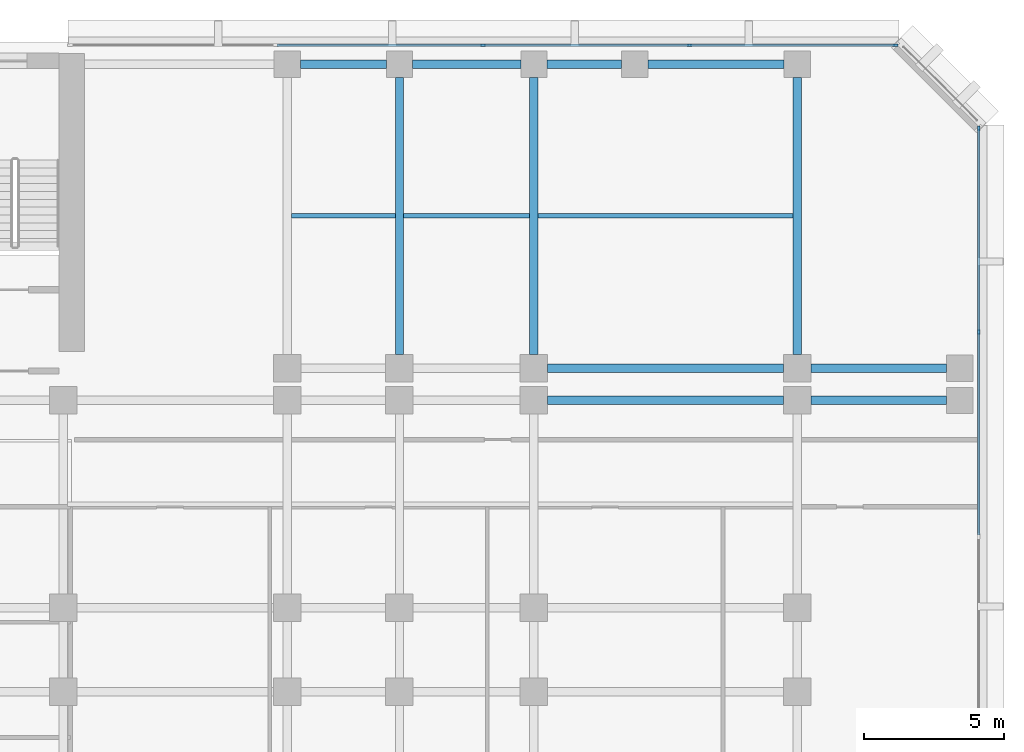
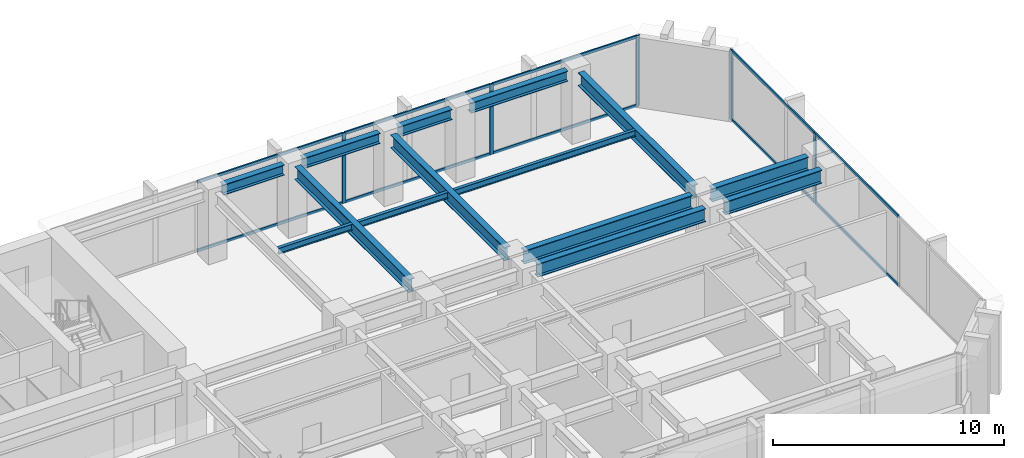
# One storey, part 5 of 13: 15 members, 14 beams, 2 elements without a shape of their own.
"""IFC4 building model written with IfcOpenShell, lengths in metres."""

from ifc_helpers import new_model, si_unit, direction, frame, origin, origin_2d, place, context, subcontext, project, spatial, rectangle, i_section, extrude, material, layer, layer_set, material_profile, profile_set, type_object, element, aggregate, save


model = new_model("IFC4")

# Units and contexts
model_context = context("Model", 3, precision=1e-05, world=origin(), true_north=direction((0.0, 1.0)))
body_context = subcontext(model_context, "Body", "Model", "MODEL_VIEW")
ifc_project = project(units=[si_unit("LENGTHUNIT", "METRE"), si_unit("AREAUNIT", "SQUARE_METRE"), si_unit("VOLUMEUNIT", "CUBIC_METRE"), si_unit("PLANEANGLEUNIT", "RADIAN"), si_unit("MASSUNIT", "GRAM", prefix="KILO")], contexts=[model_context])

# Site, building, storey
site_placement = place(None, origin())
site = spatial("IfcSite", under=ifc_project, at=site_placement, CompositionType="ELEMENT")
building_placement = place(site_placement, origin())
building = spatial("IfcBuilding", under=site, at=building_placement, Name="Kefirva Bronze Tower", CompositionType="ELEMENT")
storey_placement = place(building_placement, frame((0.0, 0.0, 85.800048828125)))
storey = spatial("IfcBuildingStorey", under=building, at=storey_placement, Name="L20", CompositionType="ELEMENT", Elevation=85.800048828125)

# Curtain wall, members
ifc_material_1 = material(Name="Bronze anodised aluminium", Category="aluminium")
ifc_layer = layer(ifc_material_1, 0.199951171875, Name="Bronze anodised aluminium")
ifc_layer_set = layer_set([ifc_layer], Name="Bronze anodised aluminium")
curtain_wall_type = type_object("IfcCurtainWallType", Name="Unitised Bronze Ribbon Curtain Wall Zone 1", PredefinedType="USERDEFINED", material=ifc_layer_set)
curtain_wall_1_placement = place(storey_placement, origin())
curtain_wall_1 = element("IfcCurtainWall", 1, at=curtain_wall_1_placement, inside=storey, type_object=curtain_wall_type, Name="L20 Curtain Wall 3", ObjectType="UNITISED CURTAIN WALL", PredefinedType="USERDEFINED")
ifc_material_profile_1 = material_profile(ifc_material_1, rectangle(XDim=0.074951171875, YDim=0.179931640625, at=origin_2d()), Name="ALU 75x180")
ifc_profile_set_1 = profile_set([ifc_material_profile_1], Name="Bronze anodised aluminium")
member_type_1 = type_object("IfcMemberType", Name="Bronze Mullion 75x180", PredefinedType="MULLION", material=ifc_profile_set_1)
member_1_placement = place(storey_placement, frame((55.8798828125, 35.6484375, 0.0), z_axis=(0.0, 0.0, 1.0), x_axis=(-1.0, 0.0, 0.0)))
member_1 = element("IfcMember", 2, at=member_1_placement, type_object=member_type_1, Name="CW-01 mullion 3", PredefinedType="MULLION", context=body_context, shape_type="SweptSolid", body=[
    extrude(rectangle(XDim=0.074951171875, YDim=0.179931640625, at=origin_2d()), origin(), (0.0, 0.0, 1.0), 3.7099609375),
])
member_2_placement = place(storey_placement, frame((55.8798828125, 42.907470703125, 0.0), z_axis=(0.0, 0.0, 1.0), x_axis=(-1.0, 0.0, 0.0)))
member_2 = element("IfcMember", 3, at=member_2_placement, type_object=member_type_1, Name="CW-01 mullion 4", PredefinedType="MULLION", context=body_context, shape_type="SweptSolid", body=[
    extrude(rectangle(XDim=0.074951171875, YDim=0.179931640625, at=origin_2d()), origin(), (0.0, 0.0, 1.0), 3.7099609375),
])

curtain_wall_2_placement = place(storey_placement, origin())
curtain_wall_2 = element("IfcCurtainWall", 4, at=curtain_wall_2_placement, inside=storey, type_object=curtain_wall_type, Name="L20 Curtain Wall 4", ObjectType="UNITISED CURTAIN WALL", PredefinedType="USERDEFINED")
member_3_placement = place(storey_placement, frame((52.907470703125, 45.8798828125, 0.0), z_axis=(0.0, 0.0, 1.0), x_axis=(0.0, -1.0, 0.0)))
member_3 = element("IfcMember", 5, at=member_3_placement, type_object=member_type_1, Name="CW-01 mullion 1", PredefinedType="MULLION", context=body_context, shape_type="SweptSolid", body=[
    extrude(rectangle(XDim=0.074951171875, YDim=0.179931640625, at=origin_2d()), origin(), (0.0, 0.0, 1.0), 3.7099609375),
])
member_4_placement = place(storey_placement, frame((45.56005859375, 45.8798828125, 0.0), z_axis=(0.0, 0.0, 1.0), x_axis=(0.0, -1.0, 0.0)))
member_4 = element("IfcMember", 6, at=member_4_placement, type_object=member_type_1, Name="CW-01 mullion 2", PredefinedType="MULLION", context=body_context, shape_type="SweptSolid", body=[
    extrude(rectangle(XDim=0.074951171875, YDim=0.179931640625, at=origin_2d()), origin(), (0.0, 0.0, 1.0), 3.7099609375),
])
member_5_placement = place(storey_placement, frame((38.175048828125, 45.8798828125, 0.0), z_axis=(0.0, 0.0, 1.0), x_axis=(0.0, -1.0, 0.0)))
member_5 = element("IfcMember", 7, at=member_5_placement, type_object=member_type_1, Name="CW-01 mullion 3", PredefinedType="MULLION", context=body_context, shape_type="SweptSolid", body=[
    extrude(rectangle(XDim=0.074951171875, YDim=0.179931640625, at=origin_2d()), origin(), (0.0, 0.0, 1.0), 3.7099609375),
])

# Member
ifc_material_profile_2 = material_profile(ifc_material_1, rectangle(XDim=0.074951171875, YDim=0.14990234375, at=origin_2d()), Name="ALU 75x150")
ifc_profile_set_2 = profile_set([ifc_material_profile_2], Name="Bronze anodised aluminium")
member_type_2 = type_object("IfcMemberType", Name="Bronze Transom 75x150", PredefinedType="USERDEFINED", material=ifc_profile_set_2)
member_6_placement = place(storey_placement, frame((55.8798828125, 28.38916015625, 0.037353515625), z_axis=(0.0, 1.0, 0.0), x_axis=(-1.0, 0.0, 0.0)))
member_6 = element("IfcMember", 8, at=member_6_placement, type_object=member_type_2, Name="CW-01 transom 2.1", ObjectType="TRANSOM", PredefinedType="USERDEFINED", context=body_context, shape_type="SweptSolid", body=[
    extrude(rectangle(XDim=0.074951171875, YDim=0.14990234375, at=origin_2d()), origin(), (0.0, 0.0, 1.0), 7.2216796875),
])

member_7_placement = place(storey_placement, frame((55.8798828125, 28.38916015625, 3.67236328125), z_axis=(0.0, 1.0, 0.0), x_axis=(-1.0, 0.0, 0.0)))
member_7 = element("IfcMember", 9, at=member_7_placement, type_object=member_type_2, Name="CW-01 transom 2.2", ObjectType="TRANSOM", PredefinedType="USERDEFINED", context=body_context, shape_type="SweptSolid", body=[
    extrude(rectangle(XDim=0.074951171875, YDim=0.14990234375, at=origin_2d()), origin(), (0.0, 0.0, 1.0), 7.2216796875),
])

member_8_placement = place(storey_placement, frame((55.8798828125, 35.685791015625, 0.037353515625), z_axis=(0.0, 1.0, 0.0), x_axis=(-1.0, 0.0, 0.0)))
member_8 = element("IfcMember", 10, at=member_8_placement, type_object=member_type_2, Name="CW-01 transom 3.1", ObjectType="TRANSOM", PredefinedType="USERDEFINED", context=body_context, shape_type="SweptSolid", body=[
    extrude(rectangle(XDim=0.074951171875, YDim=0.14990234375, at=origin_2d()), origin(), (0.0, 0.0, 1.0), 7.184326171875),
])

member_9_placement = place(storey_placement, frame((55.8798828125, 35.685791015625, 3.67236328125), z_axis=(0.0, 1.0, 0.0), x_axis=(-1.0, 0.0, 0.0)))
member_9 = element("IfcMember", 11, at=member_9_placement, type_object=member_type_2, Name="CW-01 transom 3.2", ObjectType="TRANSOM", PredefinedType="USERDEFINED", context=body_context, shape_type="SweptSolid", body=[
    extrude(rectangle(XDim=0.074951171875, YDim=0.14990234375, at=origin_2d()), origin(), (0.0, 0.0, 1.0), 7.184326171875),
])

aggregate(curtain_wall_1, [member_1, member_2, member_6, member_7, member_8, member_9])

member_10_placement = place(storey_placement, frame((52.8701171875, 45.8798828125, 0.037353515625), z_axis=(-1.0, 0.0, 0.0), x_axis=(0.0, -1.0, 0.0)))
member_10 = element("IfcMember", 12, at=member_10_placement, type_object=member_type_2, Name="CW-01 transom 1.1", ObjectType="TRANSOM", PredefinedType="USERDEFINED", context=body_context, shape_type="SweptSolid", body=[
    extrude(rectangle(XDim=0.074951171875, YDim=0.14990234375, at=origin_2d()), origin(), (0.0, 0.0, 1.0), 7.272705078125),
])

member_11_placement = place(storey_placement, frame((52.8701171875, 45.8798828125, 3.67236328125), z_axis=(-1.0, 0.0, 0.0), x_axis=(0.0, -1.0, 0.0)))
member_11 = element("IfcMember", 13, at=member_11_placement, type_object=member_type_2, Name="CW-01 transom 1.2", ObjectType="TRANSOM", PredefinedType="USERDEFINED", context=body_context, shape_type="SweptSolid", body=[
    extrude(rectangle(XDim=0.074951171875, YDim=0.14990234375, at=origin_2d()), origin(), (0.0, 0.0, 1.0), 7.272705078125),
])

member_12_placement = place(storey_placement, frame((45.5224609375, 45.8798828125, 0.037353515625), z_axis=(-1.0, 0.0, 0.0), x_axis=(0.0, -1.0, 0.0)))
member_12 = element("IfcMember", 14, at=member_12_placement, type_object=member_type_2, Name="CW-01 transom 2.1", ObjectType="TRANSOM", PredefinedType="USERDEFINED", context=body_context, shape_type="SweptSolid", body=[
    extrude(rectangle(XDim=0.074951171875, YDim=0.14990234375, at=origin_2d()), origin(), (0.0, 0.0, 1.0), 7.31005859375),
])

member_13_placement = place(storey_placement, frame((45.5224609375, 45.8798828125, 3.67236328125), z_axis=(-1.0, 0.0, 0.0), x_axis=(0.0, -1.0, 0.0)))
member_13 = element("IfcMember", 15, at=member_13_placement, type_object=member_type_2, Name="CW-01 transom 2.2", ObjectType="TRANSOM", PredefinedType="USERDEFINED", context=body_context, shape_type="SweptSolid", body=[
    extrude(rectangle(XDim=0.074951171875, YDim=0.14990234375, at=origin_2d()), origin(), (0.0, 0.0, 1.0), 7.31005859375),
])

member_14_placement = place(storey_placement, frame((38.137451171875, 45.8798828125, 0.037353515625), z_axis=(-1.0, 0.0, 0.0), x_axis=(0.0, -1.0, 0.0)))
member_14 = element("IfcMember", 16, at=member_14_placement, type_object=member_type_2, Name="CW-01 transom 3.1", ObjectType="TRANSOM", PredefinedType="USERDEFINED", context=body_context, shape_type="SweptSolid", body=[
    extrude(rectangle(XDim=0.074951171875, YDim=0.14990234375, at=origin_2d()), origin(), (0.0, 0.0, 1.0), 7.31005859375),
])

member_15_placement = place(storey_placement, frame((38.137451171875, 45.8798828125, 3.67236328125), z_axis=(-1.0, 0.0, 0.0), x_axis=(0.0, -1.0, 0.0)))
member_15 = element("IfcMember", 17, at=member_15_placement, type_object=member_type_2, Name="CW-01 transom 3.2", ObjectType="TRANSOM", PredefinedType="USERDEFINED", context=body_context, shape_type="SweptSolid", body=[
    extrude(rectangle(XDim=0.074951171875, YDim=0.14990234375, at=origin_2d()), origin(), (0.0, 0.0, 1.0), 7.31005859375),
])

aggregate(curtain_wall_2, [member_3, member_4, member_5, member_10, member_11, member_12, member_13, member_14, member_15])

# Beams
ifc_material_2 = material(Name="Steel S355", Category="steel")
ifc_material_profile_3 = material_profile(ifc_material_2, i_section(OverallWidth=0.159912109375, OverallDepth=0.330078125, WebThickness=0.007568359375, FlangeThickness=0.011474609375, at=origin_2d()), Name="IPE 330")
ifc_profile_set_3 = profile_set([ifc_material_profile_3], Name="Steel S355")
beam_type_1 = type_object("IfcBeamType", Name="Steel Floor Joist IPE 330", PredefinedType="JOIST", material=ifc_profile_set_3)
beam_1_placement = place(storey_placement, frame((31.35009765625, 39.784912109375, 3.544921875), z_axis=(1.0, 0.0, 0.0), x_axis=(0.0, 1.0, 0.0)))
element("IfcBeam", 18, at=beam_1_placement, inside=storey, type_object=beam_type_1, Name="L20 JST-L20-31-397", PredefinedType="JOIST", context=body_context, shape_type="SweptSolid", body=[
    extrude(i_section(OverallWidth=0.159912109375, OverallDepth=0.330078125, WebThickness=0.007568359375, FlangeThickness=0.011474609375, at=origin_2d()), origin(), (0.0, 0.0, 1.0), 3.699951171875),
])
beam_2_placement = place(storey_placement, frame((35.35009765625, 39.784912109375, 3.544921875), z_axis=(1.0, 0.0, 0.0), x_axis=(0.0, 1.0, 0.0)))
element("IfcBeam", 19, at=beam_2_placement, inside=storey, type_object=beam_type_1, Name="L20 JST-L20-35-397", PredefinedType="JOIST", context=body_context, shape_type="SweptSolid", body=[
    extrude(i_section(OverallWidth=0.159912109375, OverallDepth=0.330078125, WebThickness=0.007568359375, FlangeThickness=0.011474609375, at=origin_2d()), origin(), (0.0, 0.0, 1.0), 4.5),
])
beam_3_placement = place(storey_placement, frame((40.14990234375, 39.784912109375, 3.544921875), z_axis=(1.0, 0.0, 0.0), x_axis=(0.0, 1.0, 0.0)))
element("IfcBeam", 20, at=beam_3_placement, inside=storey, type_object=beam_type_1, Name="L20 JST-L20-40-397", PredefinedType="JOIST", context=body_context, shape_type="SweptSolid", body=[
    extrude(i_section(OverallWidth=0.159912109375, OverallDepth=0.330078125, WebThickness=0.007568359375, FlangeThickness=0.011474609375, at=origin_2d()), origin(), (0.0, 0.0, 1.0), 9.10009765625),
])
ifc_material_profile_4 = material_profile(ifc_material_2, i_section(OverallWidth=0.300048828125, OverallDepth=0.699951171875, WebThickness=0.01708984375, FlangeThickness=0.031982421875, at=origin_2d()), Name="HEB 700")
ifc_profile_set_4 = profile_set([ifc_material_profile_4], Name="Steel S355")
beam_type_2 = type_object("IfcBeamType", Name="Steel Girder HEB 700", PredefinedType="USERDEFINED", material=ifc_profile_set_4)
beam_4_placement = place(storey_placement, frame((40.489990234375, 33.199951171875, 3.35986328125), z_axis=(1.0, 0.0, 0.0), x_axis=(0.0, 1.0, 0.0)))
element("IfcBeam", 21, at=beam_4_placement, inside=storey, type_object=beam_type_2, Name="L20 BM-L20-EW-40-332", ObjectType="GIRDER", PredefinedType="USERDEFINED", context=body_context, shape_type="SweptSolid", body=[
    extrude(i_section(OverallWidth=0.300048828125, OverallDepth=0.699951171875, WebThickness=0.01708984375, FlangeThickness=0.031982421875, at=origin_2d()), origin(), (0.0, 0.0, 1.0), 8.419921875),
])
beam_5_placement = place(storey_placement, frame((49.889892578125, 33.199951171875, 3.35986328125), z_axis=(1.0, 0.0, 0.0), x_axis=(0.0, 1.0, 0.0)))
element("IfcBeam", 22, at=beam_5_placement, inside=storey, type_object=beam_type_2, Name="L20 BM-L20-EW-49-332", ObjectType="GIRDER", PredefinedType="USERDEFINED", context=body_context, shape_type="SweptSolid", body=[
    extrude(i_section(OverallWidth=0.300048828125, OverallDepth=0.699951171875, WebThickness=0.01708984375, FlangeThickness=0.031982421875, at=origin_2d()), origin(), (0.0, 0.0, 1.0), 4.840087890625),
])
beam_6_placement = place(storey_placement, frame((40.489990234375, 34.35009765625, 3.35986328125), z_axis=(1.0, 0.0, 0.0), x_axis=(0.0, 1.0, 0.0)))
element("IfcBeam", 23, at=beam_6_placement, inside=storey, type_object=beam_type_2, Name="L20 BM-L20-EW-40-344", ObjectType="GIRDER", PredefinedType="USERDEFINED", context=body_context, shape_type="SweptSolid", body=[
    extrude(i_section(OverallWidth=0.300048828125, OverallDepth=0.699951171875, WebThickness=0.01708984375, FlangeThickness=0.031982421875, at=origin_2d()), origin(), (0.0, 0.0, 1.0), 8.419921875),
])
beam_7_placement = place(storey_placement, frame((49.889892578125, 34.35009765625, 3.35986328125), z_axis=(1.0, 0.0, 0.0), x_axis=(0.0, 1.0, 0.0)))
element("IfcBeam", 24, at=beam_7_placement, inside=storey, type_object=beam_type_2, Name="L20 BM-L20-EW-49-344", ObjectType="GIRDER", PredefinedType="USERDEFINED", context=body_context, shape_type="SweptSolid", body=[
    extrude(i_section(OverallWidth=0.300048828125, OverallDepth=0.699951171875, WebThickness=0.01708984375, FlangeThickness=0.031982421875, at=origin_2d()), origin(), (0.0, 0.0, 1.0), 4.840087890625),
])
for number, where, z_axis, x_axis, name in (
    (25, (35.199951171875, 34.840087890625, 3.35986328125), (0.0, 1.0, 0.0), (-1.0, 0.0, 0.0), "L20 BM-L20-NS-352-34"),
    (26, (40.0, 34.840087890625, 3.35986328125), (0.0, 1.0, 0.0), (-1.0, 0.0, 0.0), "L20 BM-L20-NS-400-34"),
    (27, (49.39990234375, 34.840087890625, 3.35986328125), (0.0, 1.0, 0.0), (-1.0, 0.0, 0.0), "L20 BM-L20-NS-494-34"),
):
    element("IfcBeam", number, at=place(storey_placement, frame(where, z_axis=z_axis, x_axis=x_axis)), inside=storey, type_object=beam_type_2, Name=name, ObjectType="GIRDER", PredefinedType="USERDEFINED", context=body_context, shape_type="SweptSolid", body=[
        extrude(i_section(OverallWidth=0.300048828125, OverallDepth=0.699951171875, WebThickness=0.01708984375, FlangeThickness=0.031982421875, at=origin_2d()), origin(), (0.0, 0.0, 1.0), 9.889892578125),
    ])
ifc_material_profile_5 = material_profile(ifc_material_2, i_section(OverallWidth=0.300048828125, OverallDepth=0.550048828125, WebThickness=0.014892578125, FlangeThickness=0.029052734375, at=origin_2d()), Name="HEB 550")
ifc_profile_set_5 = profile_set([ifc_material_profile_5], Name="Steel S355")
beam_type_3 = type_object("IfcBeamType", Name="Steel Spandrel HEB 550 Ext", PredefinedType="SPANDREL", material=ifc_profile_set_5)
beam_8_placement = place(storey_placement, frame((31.669921875, 45.199951171875, 3.43505859375), z_axis=(1.0, 0.0, 0.0), x_axis=(0.0, 1.0, 0.0)))
element("IfcBeam", 28, at=beam_8_placement, inside=storey, type_object=beam_type_3, Name="L20 BM-L20-EW-31-452", PredefinedType="SPANDREL", context=body_context, shape_type="SweptSolid", body=[
    extrude(i_section(OverallWidth=0.300048828125, OverallDepth=0.550048828125, WebThickness=0.014892578125, FlangeThickness=0.029052734375, at=origin_2d()), origin(), (0.0, 0.0, 1.0), 3.06005859375),
])
beam_9_placement = place(storey_placement, frame((35.669921875, 45.199951171875, 3.43505859375), z_axis=(1.0, 0.0, 0.0), x_axis=(0.0, 1.0, 0.0)))
element("IfcBeam", 29, at=beam_9_placement, inside=storey, type_object=beam_type_3, Name="L20 BM-L20-EW-35-452", PredefinedType="SPANDREL", context=body_context, shape_type="SweptSolid", body=[
    extrude(i_section(OverallWidth=0.300048828125, OverallDepth=0.550048828125, WebThickness=0.014892578125, FlangeThickness=0.029052734375, at=origin_2d()), origin(), (0.0, 0.0, 1.0), 3.860107421875),
])
beam_10_placement = place(storey_placement, frame((40.469970703125, 45.199951171875, 3.43505859375), z_axis=(1.0, 0.0, 0.0), x_axis=(0.0, 1.0, 0.0)))
element("IfcBeam", 30, at=beam_10_placement, inside=storey, type_object=beam_type_3, Name="L20 BM-L20-EW-40-452", PredefinedType="SPANDREL", context=body_context, shape_type="SweptSolid", body=[
    extrude(i_section(OverallWidth=0.300048828125, OverallDepth=0.550048828125, WebThickness=0.014892578125, FlangeThickness=0.029052734375, at=origin_2d()), origin(), (0.0, 0.0, 1.0), 2.659912109375),
])
beam_11_placement = place(storey_placement, frame((44.070068359375, 45.199951171875, 3.43505859375), z_axis=(1.0, 0.0, 0.0), x_axis=(0.0, 1.0, 0.0)))
element("IfcBeam", 31, at=beam_11_placement, inside=storey, type_object=beam_type_3, Name="L20 BM-L20-EW-43-452", PredefinedType="SPANDREL", context=body_context, shape_type="SweptSolid", body=[
    extrude(i_section(OverallWidth=0.300048828125, OverallDepth=0.550048828125, WebThickness=0.014892578125, FlangeThickness=0.029052734375, at=origin_2d()), origin(), (0.0, 0.0, 1.0), 4.85986328125),
])

save(model, "model.ifc")
